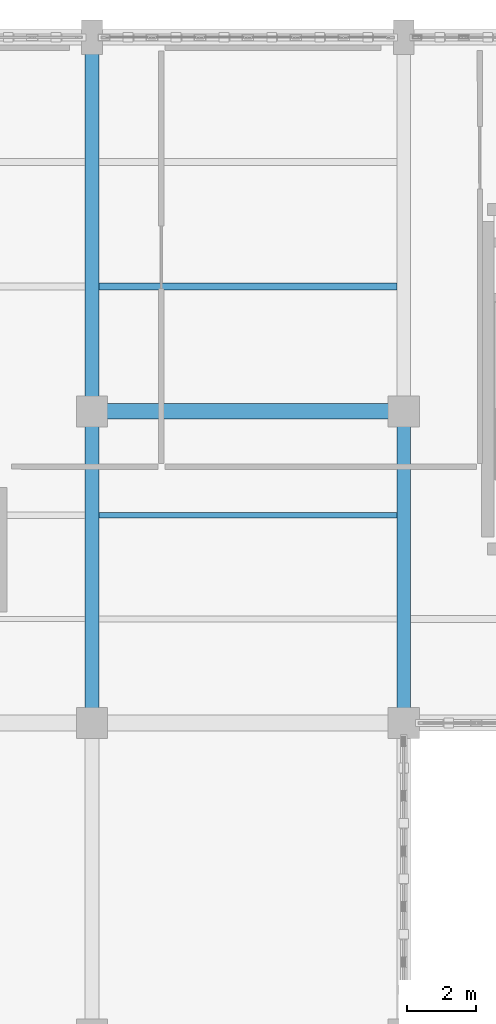
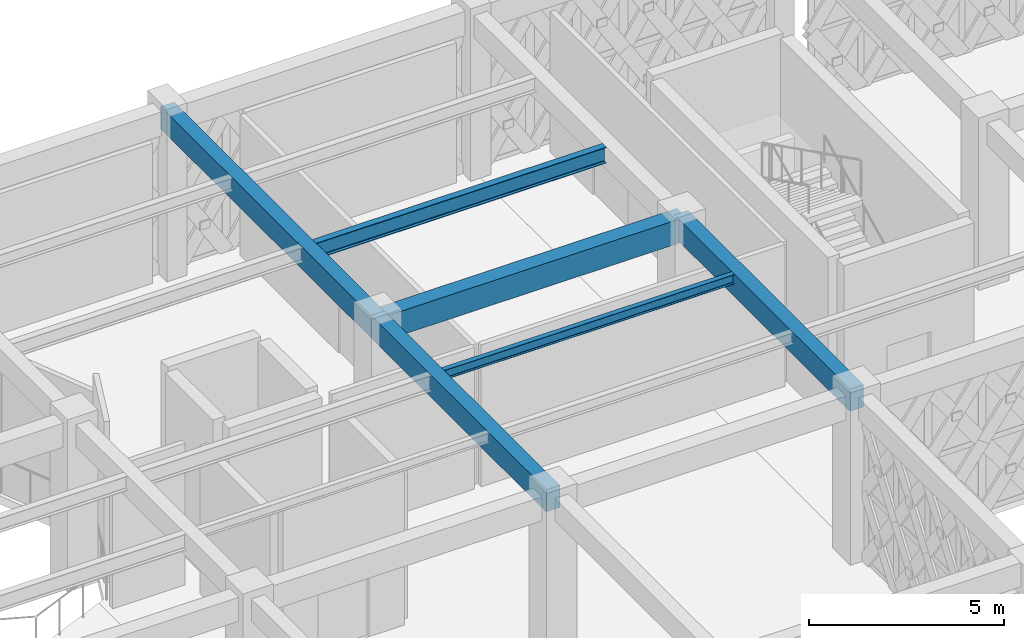
# One storey, part 88 of 155: 6 beams.
"""IFC4 building model written with IfcOpenShell, lengths in metres."""

from ifc_helpers import new_model, si_unit, direction, frame, origin, origin_2d, place, context, subcontext, project, spatial, rectangle, i_section, extrude, material, material_profile, profile_set, type_object, element, save


model = new_model("IFC4")

# Units and contexts
model_context = context("Model", 3, precision=1e-05, world=origin(), true_north=direction((0.0, 1.0)))
body_context = subcontext(model_context, "Body", "Model", "MODEL_VIEW")
ifc_project = project(units=[si_unit("LENGTHUNIT", "METRE"), si_unit("AREAUNIT", "SQUARE_METRE"), si_unit("VOLUMEUNIT", "CUBIC_METRE"), si_unit("PLANEANGLEUNIT", "RADIAN"), si_unit("MASSUNIT", "GRAM", prefix="KILO")], contexts=[model_context])

# Site, building, storey
site_placement = place(None, origin())
site = spatial("IfcSite", under=ifc_project, at=site_placement, CompositionType="ELEMENT")
building_placement = place(site_placement, origin())
building = spatial("IfcBuilding", under=site, at=building_placement, Name="Haizhuo Lancet Aquarium", CompositionType="ELEMENT")
storey_placement = place(building_placement, frame((0.0, 0.0, 10.800048828125)))
storey = spatial("IfcBuildingStorey", under=building, at=storey_placement, Name="L02", CompositionType="ELEMENT", Elevation=10.800048828125)

# Beams
ifc_material_1 = material(Name="Concrete C40/50", Category="concrete")
ifc_material_profile_1 = material_profile(ifc_material_1, rectangle(XDim=0.39990234375, YDim=0.699951171875, at=origin_2d()), Name="RC-BM 400x700")
ifc_profile_set_1 = profile_set([ifc_material_profile_1], Name="Concrete C40/50")
beam_type_1 = type_object("IfcBeamType", Name="BM-RC-400x700", PredefinedType="BEAM", material=ifc_profile_set_1)
beam_1_placement = place(storey_placement, frame((0.0, 36.0, 4.81005859375), z_axis=(0.0, 1.0, 0.0), x_axis=(-1.0, 0.0, 0.0)))
element("IfcBeam", 1, at=beam_1_placement, inside=storey, type_object=beam_type_1, Name="L02 V5 primary girder BM-L02-V5-018", PredefinedType="BEAM", context=body_context, shape_type="SweptSolid", body=[
    extrude(rectangle(XDim=0.39990234375, YDim=0.699951171875, at=origin_2d()), origin(), (0.0, 0.0, 1.0), 9.0),
])
beam_2_placement = place(storey_placement, frame((0.0, 45.0, 4.81005859375), z_axis=(0.0, 1.0, 0.0), x_axis=(-1.0, 0.0, 0.0)))
element("IfcBeam", 2, at=beam_2_placement, inside=storey, type_object=beam_type_1, Name="L02 V5 primary girder BM-L02-V5-020", PredefinedType="BEAM", context=body_context, shape_type="SweptSolid", body=[
    extrude(rectangle(XDim=0.39990234375, YDim=0.699951171875, at=origin_2d()), origin(), (0.0, 0.0, 1.0), 10.800048828125),
])
beam_3_placement = place(storey_placement, frame((9.0, 36.0, 4.81005859375), z_axis=(0.0, 1.0, 0.0), x_axis=(-1.0, 0.0, 0.0)))
element("IfcBeam", 3, at=beam_3_placement, inside=storey, type_object=beam_type_1, Name="L02 V5 primary girder BM-L02-V5-024", PredefinedType="BEAM", context=body_context, shape_type="SweptSolid", body=[
    extrude(rectangle(XDim=0.39990234375, YDim=0.699951171875, at=origin_2d()), origin(), (0.0, 0.0, 1.0), 9.0),
])
ifc_material_profile_2 = material_profile(ifc_material_1, rectangle(XDim=0.449951171875, YDim=0.75, at=origin_2d()), Name="RC-BM 450x750")
ifc_profile_set_2 = profile_set([ifc_material_profile_2], Name="Concrete C40/50")
beam_type_2 = type_object("IfcBeamType", Name="BM-RC-450x750", PredefinedType="BEAM", material=ifc_profile_set_2)
beam_4_placement = place(storey_placement, frame((0.0, 45.0, 4.784912109375), z_axis=(1.0, 0.0, 0.0), x_axis=(0.0, 1.0, 0.0)))
element("IfcBeam", 4, at=beam_4_placement, inside=storey, type_object=beam_type_2, Name="L02 V5 primary girder BM-L02-V5-021", PredefinedType="BEAM", context=body_context, shape_type="SweptSolid", body=[
    extrude(rectangle(XDim=0.449951171875, YDim=0.75, at=origin_2d()), origin(), (0.0, 0.0, 1.0), 9.0),
])
ifc_material_2 = material(Name="Steel S355", Category="steel")
ifc_material_profile_3 = material_profile(ifc_material_2, i_section(OverallWidth=0.14990234375, OverallDepth=0.300048828125, WebThickness=0.006591796875, FlangeThickness=0.009033203125, FilletRadius=0.012939453125, at=origin_2d()), Name="HN 300x150x6.5x9")
ifc_profile_set_3 = profile_set([ifc_material_profile_3], Name="Steel S355")
beam_type_3 = type_object("IfcBeamType", Name="JST-ST-HN300", PredefinedType="JOIST", material=ifc_profile_set_3)
beam_5_placement = place(storey_placement, frame((0.199951171875, 42.0, 5.010009765625), z_axis=(1.0, 0.0, 0.0), x_axis=(0.0, 1.0, 0.0)))
element("IfcBeam", 5, at=beam_5_placement, inside=storey, type_object=beam_type_3, Name="L02 V5 secondary floor joist 11", PredefinedType="JOIST", context=body_context, shape_type="SweptSolid", body=[
    extrude(i_section(OverallWidth=0.14990234375, OverallDepth=0.300048828125, WebThickness=0.006591796875, FlangeThickness=0.009033203125, FilletRadius=0.012939453125, at=origin_2d()), origin(), (0.0, 0.0, 1.0), 8.60009765625),
])
ifc_material_profile_4 = material_profile(ifc_material_2, i_section(OverallWidth=0.199951171875, OverallDepth=0.5, WebThickness=0.010009765625, FlangeThickness=0.01611328125, FilletRadius=0.02001953125, at=origin_2d()), Name="HN 500x200x10x16")
ifc_profile_set_4 = profile_set([ifc_material_profile_4], Name="Steel S355")
beam_type_4 = type_object("IfcBeamType", Name="JST-ST-HN500", PredefinedType="JOIST", material=ifc_profile_set_4)
beam_6_placement = place(storey_placement, frame((0.199951171875, 48.60009765625, 4.909912109375), z_axis=(1.0, 0.0, 0.0), x_axis=(0.0, 1.0, 0.0)))
element("IfcBeam", 6, at=beam_6_placement, inside=storey, type_object=beam_type_4, Name="L02 V5 secondary floor joist 12", PredefinedType="JOIST", context=body_context, shape_type="SweptSolid", body=[
    extrude(i_section(OverallWidth=0.199951171875, OverallDepth=0.5, WebThickness=0.010009765625, FlangeThickness=0.01611328125, FilletRadius=0.02001953125, at=origin_2d()), origin(), (0.0, 0.0, 1.0), 8.60009765625),
])

save(model, "model.ifc")
